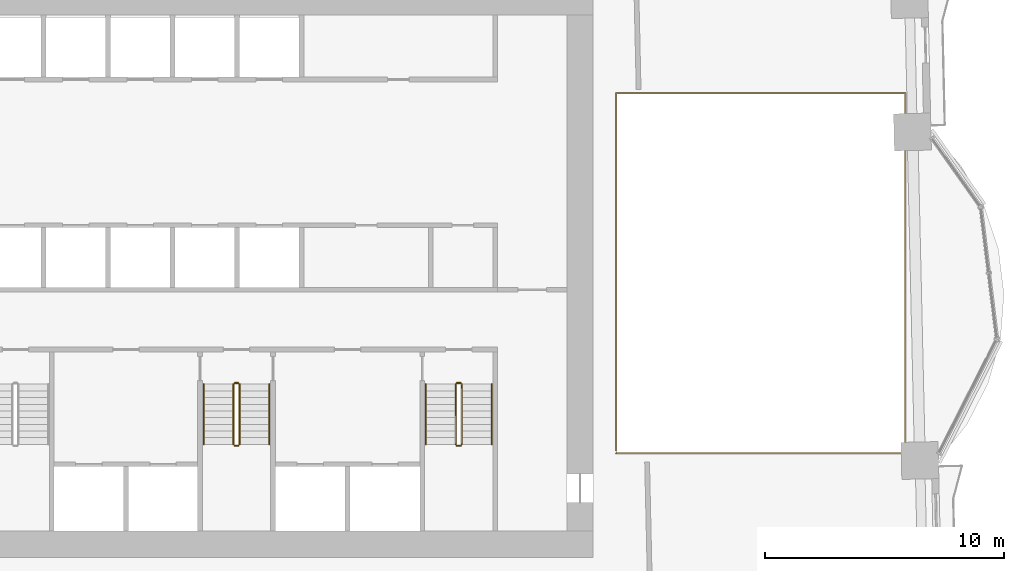
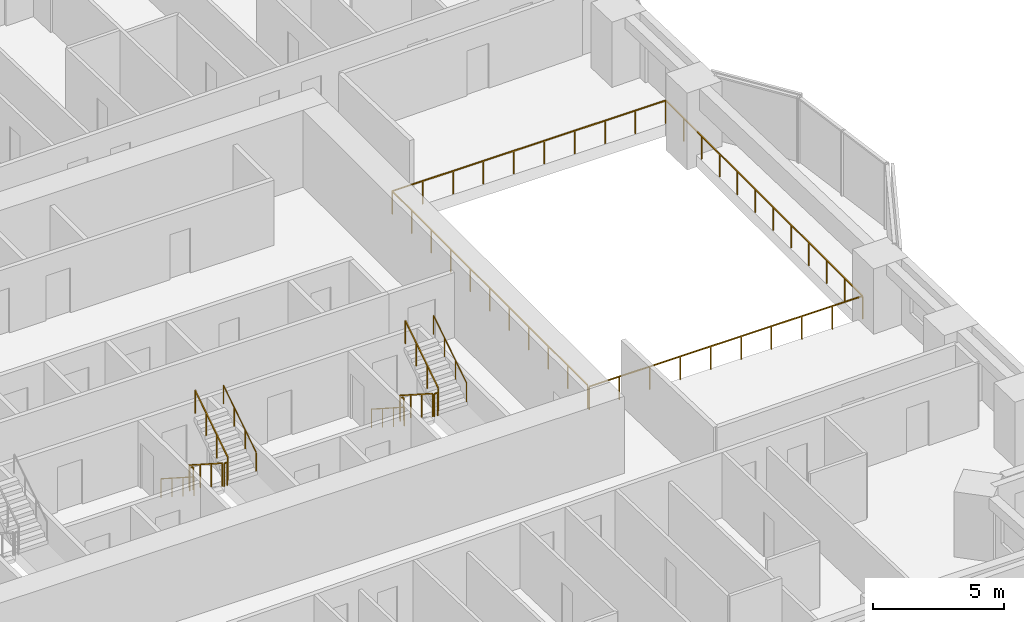
# One storey, part 15 of 16: 13 railings.
"""IFC4 building model written with IfcOpenShell, lengths in metres."""

from ifc_helpers import new_model, si_unit, direction, frame, origin, origin_2d, place, context, subcontext, project, spatial, rectangle, circle, extrude, material, type_object, element, save


model = new_model("IFC4")

# Units and contexts
model_context = context("Model", 3, precision=1e-05, world=origin(), true_north=direction((0.0, 1.0)))
body_context = subcontext(model_context, "Body", "Model", "MODEL_VIEW")
ifc_project = project(units=[si_unit("LENGTHUNIT", "METRE"), si_unit("AREAUNIT", "SQUARE_METRE"), si_unit("VOLUMEUNIT", "CUBIC_METRE"), si_unit("PLANEANGLEUNIT", "RADIAN"), si_unit("MASSUNIT", "GRAM", prefix="KILO")], contexts=[model_context])

# Site, building, storey
site_placement = place(None, origin())
site = spatial("IfcSite", under=ifc_project, at=site_placement, CompositionType="ELEMENT")
building_placement = place(site_placement, origin())
building = spatial("IfcBuilding", under=site, at=building_placement, Name="Mangrove Gate Tower", CompositionType="ELEMENT")
storey_placement = place(building_placement, frame((0.0, 0.0, 41.300048828125)))
storey = spatial("IfcBuildingStorey", under=building, at=storey_placement, Name="L09", CompositionType="ELEMENT", Elevation=41.300048828125)

# Railings
ifc_material_1 = material(Name="Stainless steel grade 316 with laminated glass infill", Category="steel")
railing_type_1 = type_object("IfcRailingType", Name="Balcony guard 1100", PredefinedType="GUARDRAIL", material=ifc_material_1)
railing_1_placement = place(storey_placement, frame((15.860107421875, -7.5400390625, 0.0)))
element("IfcRailing", 1, at=railing_1_placement, inside=storey, type_object=railing_type_1, Name="GUARD L09 atrium", PredefinedType="GUARDRAIL", context=body_context, shape_type="SweptSolid", body=[
    extrude(rectangle(XDim=0.048095703125, YDim=0.048095703125, at=origin_2d()), frame((0.0, 0.0, 1.076171875), z_axis=(1.0, 0.0, 0.0), x_axis=(0.0, 1.0, 0.0)), (0.0, 0.0, 1.0), 12.101806640625),
    extrude(rectangle(XDim=0.048095703125, YDim=0.048095703125, at=origin_2d()), frame((12.101806640625, 0.0, 1.076171875), z_axis=(0.0, 1.0, 0.0), x_axis=(-1.0, 0.0, 0.0)), (0.0, 0.0, 1.0), 15.080078125),
    extrude(rectangle(XDim=0.048095703125, YDim=0.048095703125, at=origin_2d()), frame((12.101806640625, 15.080078125, 1.076171875), z_axis=(-1.0, 0.0, 0.0), x_axis=(0.0, -1.0, 0.0)), (0.0, 0.0, 1.0), 12.101806640625),
    extrude(rectangle(XDim=0.048095703125, YDim=0.048095703125, at=origin_2d()), frame((0.0, 15.080078125, 1.076171875), z_axis=(0.0, -1.0, 0.0), x_axis=(1.0, 0.0, 0.0)), (0.0, 0.0, 1.0), 14.9599609375),
    extrude(rectangle(XDim=0.0419921875, YDim=0.0419921875, at=origin_2d()), origin(), (0.0, 0.0, 1.0), 1.052001953125),
    extrude(rectangle(XDim=0.0419921875, YDim=0.0419921875, at=origin_2d()), frame((1.3447265625, 0.0, 0.0)), (0.0, 0.0, 1.0), 1.052001953125),
    extrude(rectangle(XDim=0.0419921875, YDim=0.0419921875, at=origin_2d()), frame((2.689208984375, 0.0, 0.0)), (0.0, 0.0, 1.0), 1.052001953125),
    extrude(rectangle(XDim=0.0419921875, YDim=0.0419921875, at=origin_2d()), frame((4.033935546875, 0.0, 0.0)), (0.0, 0.0, 1.0), 1.052001953125),
    extrude(rectangle(XDim=0.0419921875, YDim=0.0419921875, at=origin_2d()), frame((5.378662109375, 0.0, 0.0)), (0.0, 0.0, 1.0), 1.052001953125),
    extrude(rectangle(XDim=0.0419921875, YDim=0.0419921875, at=origin_2d()), frame((6.72314453125, 0.0, 0.0)), (0.0, 0.0, 1.0), 1.052001953125),
    extrude(rectangle(XDim=0.0419921875, YDim=0.0419921875, at=origin_2d()), frame((8.06787109375, 0.0, 0.0)), (0.0, 0.0, 1.0), 1.052001953125),
    extrude(rectangle(XDim=0.0419921875, YDim=0.0419921875, at=origin_2d()), frame((9.41259765625, 0.0, 0.0)), (0.0, 0.0, 1.0), 1.052001953125),
    extrude(rectangle(XDim=0.0419921875, YDim=0.0419921875, at=origin_2d()), frame((10.757080078125, 0.0, 0.0)), (0.0, 0.0, 1.0), 1.052001953125),
    extrude(rectangle(XDim=0.0419921875, YDim=0.0419921875, at=origin_2d()), frame((12.101806640625, 0.0, 0.0)), (0.0, 0.0, 1.0), 1.052001953125),
    extrude(rectangle(XDim=0.0419921875, YDim=0.0419921875, at=origin_2d()), frame((12.101806640625, 1.370849609375, 0.0)), (0.0, 0.0, 1.0), 1.052001953125),
    extrude(rectangle(XDim=0.0419921875, YDim=0.0419921875, at=origin_2d()), frame((12.101806640625, 2.741943359375, 0.0)), (0.0, 0.0, 1.0), 1.052001953125),
    extrude(rectangle(XDim=0.0419921875, YDim=0.0419921875, at=origin_2d()), frame((12.101806640625, 4.11279296875, 0.0)), (0.0, 0.0, 1.0), 1.052001953125),
    extrude(rectangle(XDim=0.0419921875, YDim=0.0419921875, at=origin_2d()), frame((12.101806640625, 5.483642578125, 0.0)), (0.0, 0.0, 1.0), 1.052001953125),
    extrude(rectangle(XDim=0.0419921875, YDim=0.0419921875, at=origin_2d()), frame((12.101806640625, 6.8544921875, 0.0)), (0.0, 0.0, 1.0), 1.052001953125),
    extrude(rectangle(XDim=0.0419921875, YDim=0.0419921875, at=origin_2d()), frame((12.101806640625, 8.2255859375, 0.0)), (0.0, 0.0, 1.0), 1.052001953125),
    extrude(rectangle(XDim=0.0419921875, YDim=0.0419921875, at=origin_2d()), frame((12.101806640625, 9.596435546875, 0.0)), (0.0, 0.0, 1.0), 1.052001953125),
    extrude(rectangle(XDim=0.0419921875, YDim=0.0419921875, at=origin_2d()), frame((12.101806640625, 10.96728515625, 0.0)), (0.0, 0.0, 1.0), 1.052001953125),
    extrude(rectangle(XDim=0.0419921875, YDim=0.0419921875, at=origin_2d()), frame((12.101806640625, 12.338134765625, 0.0)), (0.0, 0.0, 1.0), 1.052001953125),
    extrude(rectangle(XDim=0.0419921875, YDim=0.0419921875, at=origin_2d()), frame((12.101806640625, 13.709228515625, 0.0)), (0.0, 0.0, 1.0), 1.052001953125),
    extrude(rectangle(XDim=0.0419921875, YDim=0.0419921875, at=origin_2d()), frame((12.101806640625, 15.080078125, 0.0)), (0.0, 0.0, 1.0), 1.052001953125),
    extrude(rectangle(XDim=0.0419921875, YDim=0.0419921875, at=origin_2d()), frame((10.757080078125, 15.080078125, 0.0)), (0.0, 0.0, 1.0), 1.052001953125),
    extrude(rectangle(XDim=0.0419921875, YDim=0.0419921875, at=origin_2d()), frame((9.41259765625, 15.080078125, 0.0)), (0.0, 0.0, 1.0), 1.052001953125),
    extrude(rectangle(XDim=0.0419921875, YDim=0.0419921875, at=origin_2d()), frame((8.06787109375, 15.080078125, 0.0)), (0.0, 0.0, 1.0), 1.052001953125),
    extrude(rectangle(XDim=0.0419921875, YDim=0.0419921875, at=origin_2d()), frame((6.72314453125, 15.080078125, 0.0)), (0.0, 0.0, 1.0), 1.052001953125),
    extrude(rectangle(XDim=0.0419921875, YDim=0.0419921875, at=origin_2d()), frame((5.378662109375, 15.080078125, 0.0)), (0.0, 0.0, 1.0), 1.052001953125),
    extrude(rectangle(XDim=0.0419921875, YDim=0.0419921875, at=origin_2d()), frame((4.033935546875, 15.080078125, 0.0)), (0.0, 0.0, 1.0), 1.052001953125),
    extrude(rectangle(XDim=0.0419921875, YDim=0.0419921875, at=origin_2d()), frame((2.689208984375, 15.080078125, 0.0)), (0.0, 0.0, 1.0), 1.052001953125),
    extrude(rectangle(XDim=0.0419921875, YDim=0.0419921875, at=origin_2d()), frame((1.3447265625, 15.080078125, 0.0)), (0.0, 0.0, 1.0), 1.052001953125),
    extrude(rectangle(XDim=0.0419921875, YDim=0.0419921875, at=origin_2d()), frame((0.0, 15.080078125, 0.0)), (0.0, 0.0, 1.0), 1.052001953125),
    extrude(rectangle(XDim=0.0419921875, YDim=0.0419921875, at=origin_2d()), frame((0.0, 13.583984375, 0.0)), (0.0, 0.0, 1.0), 1.052001953125),
    extrude(rectangle(XDim=0.0419921875, YDim=0.0419921875, at=origin_2d()), frame((0.0, 12.088134765625, 0.0)), (0.0, 0.0, 1.0), 1.052001953125),
    extrude(rectangle(XDim=0.0419921875, YDim=0.0419921875, at=origin_2d()), frame((0.0, 10.592041015625, 0.0)), (0.0, 0.0, 1.0), 1.052001953125),
    extrude(rectangle(XDim=0.0419921875, YDim=0.0419921875, at=origin_2d()), frame((0.0, 9.09619140625, 0.0)), (0.0, 0.0, 1.0), 1.052001953125),
    extrude(rectangle(XDim=0.0419921875, YDim=0.0419921875, at=origin_2d()), frame((0.0, 7.60009765625, 0.0)), (0.0, 0.0, 1.0), 1.052001953125),
    extrude(rectangle(XDim=0.0419921875, YDim=0.0419921875, at=origin_2d()), frame((0.0, 6.10400390625, 0.0)), (0.0, 0.0, 1.0), 1.052001953125),
    extrude(rectangle(XDim=0.0419921875, YDim=0.0419921875, at=origin_2d()), frame((0.0, 4.608154296875, 0.0)), (0.0, 0.0, 1.0), 1.052001953125),
    extrude(rectangle(XDim=0.0419921875, YDim=0.0419921875, at=origin_2d()), frame((0.0, 3.112060546875, 0.0)), (0.0, 0.0, 1.0), 1.052001953125),
    extrude(rectangle(XDim=0.0419921875, YDim=0.0419921875, at=origin_2d()), frame((0.0, 1.6162109375, 0.0)), (0.0, 0.0, 1.0), 1.052001953125),
    extrude(rectangle(XDim=0.0419921875, YDim=0.0419921875, at=origin_2d()), frame((0.0, 0.1201171875, 0.0)), (0.0, 0.0, 1.0), 1.052001953125),
])
ifc_material_2 = material(Name="Stainless steel 316", Category="steel")
railing_type_2 = type_object("IfcRailingType", Name="Core stair guard 1100", PredefinedType="GUARDRAIL", material=ifc_material_2)
railing_2_placement = place(storey_placement, frame((-0.14990234375, -4.64990234375, 0.179931640625)))
element("IfcRailing", 2, at=railing_2_placement, inside=storey, type_object=railing_type_2, Name="L09 ST2 stair guard 1", PredefinedType="GUARDRAIL", context=body_context, shape_type="SweptSolid", body=[
    extrude(rectangle(XDim=0.048095703125, YDim=0.048095703125, at=origin_2d()), frame((0.0, 0.0, 1.076171875), z_axis=(0.0, -0.841162588446, 0.540782303519), x_axis=(1.0, 0.0, 0.0)), (0.0, 0.0, 1.0), 2.995849609375),
    extrude(rectangle(XDim=0.0419921875, YDim=0.0419921875, at=origin_2d()), origin(), (0.0, 0.0, 1.0), 1.052001953125),
    extrude(rectangle(XDim=0.0419921875, YDim=0.0419921875, at=origin_2d()), frame((0.0, -0.840087890625, 0.5400390625)), (0.0, 0.0, 1.0), 1.052001953125),
    extrude(rectangle(XDim=0.0419921875, YDim=0.0419921875, at=origin_2d()), frame((0.0, -1.679931640625, 1.080078125)), (0.0, 0.0, 1.0), 1.052001953125),
    extrude(rectangle(XDim=0.0419921875, YDim=0.0419921875, at=origin_2d()), frame((0.0, -2.52001953125, 1.6201171875)), (0.0, 0.0, 1.0), 1.052001953125),
])
railing_3_placement = place(storey_placement, frame((-0.10009765625, -7.219970703125, 1.800048828125)))
element("IfcRailing", 3, at=railing_3_placement, inside=storey, type_object=railing_type_2, Name="L09 ST2 stair guard 2", PredefinedType="GUARDRAIL", context=body_context, shape_type="SweptSolid", body=[
    extrude(rectangle(XDim=0.048095703125, YDim=0.048095703125, at=origin_2d()), frame((0.0, 0.0, 1.076171875), z_axis=(1.0, 0.0, 0.0), x_axis=(0.0, 1.0, 0.0)), (0.0, 0.0, 1.0), 0.150146484375),
    extrude(rectangle(XDim=0.0419921875, YDim=0.0419921875, at=origin_2d()), origin(), (0.0, 0.0, 1.0), 1.052001953125),
    extrude(rectangle(XDim=0.0419921875, YDim=0.0419921875, at=origin_2d()), frame((0.150146484375, 0.0, 0.0)), (0.0, 0.0, 1.0), 1.052001953125),
])
railing_4_placement = place(storey_placement, frame((0.10009765625, -7.169921875, 1.97998046875)))
element("IfcRailing", 4, at=railing_4_placement, inside=storey, type_object=railing_type_2, Name="L09 ST2 stair guard 3", PredefinedType="GUARDRAIL", context=body_context, shape_type="SweptSolid", body=[
    extrude(rectangle(XDim=0.048095703125, YDim=0.048095703125, at=origin_2d()), frame((0.0, 0.0, 1.076171875), z_axis=(0.0, 0.841199657755, 0.540724639528), x_axis=(-1.0, 0.0, 0.0)), (0.0, 0.0, 1.0), 2.995849609375),
    extrude(rectangle(XDim=0.0419921875, YDim=0.0419921875, at=origin_2d()), origin(), (0.0, 0.0, 1.0), 1.052001953125),
    extrude(rectangle(XDim=0.0419921875, YDim=0.0419921875, at=origin_2d()), frame((0.0, 0.840087890625, 0.5400390625)), (0.0, 0.0, 1.0), 1.052001953125),
    extrude(rectangle(XDim=0.0419921875, YDim=0.0419921875, at=origin_2d()), frame((0.0, 1.679931640625, 1.079833984375)), (0.0, 0.0, 1.0), 1.052001953125),
    extrude(rectangle(XDim=0.0419921875, YDim=0.0419921875, at=origin_2d()), frame((0.0, 2.52001953125, 1.619873046875)), (0.0, 0.0, 1.0), 1.052001953125),
])
railing_5_placement = place(storey_placement, frame((-0.10009765625, -4.60009765625, 0.0)))
element("IfcRailing", 5, at=railing_5_placement, inside=storey, type_object=railing_type_2, Name="L09 ST2 stair guard 4", PredefinedType="GUARDRAIL", context=body_context, shape_type="SweptSolid", body=[
    extrude(rectangle(XDim=0.048095703125, YDim=0.048095703125, at=origin_2d()), frame((0.0, 0.0, 1.076171875), z_axis=(1.0, 0.0, 0.0), x_axis=(0.0, 1.0, 0.0)), (0.0, 0.0, 1.0), 0.150146484375),
    extrude(rectangle(XDim=0.0419921875, YDim=0.0419921875, at=origin_2d()), origin(), (0.0, 0.0, 1.0), 1.052001953125),
    extrude(rectangle(XDim=0.0419921875, YDim=0.0419921875, at=origin_2d()), frame((0.150146484375, 0.0, 0.0)), (0.0, 0.0, 1.0), 1.052001953125),
])
railing_6_placement = place(storey_placement, frame((9.14990234375, -4.64990234375, 0.179931640625)))
element("IfcRailing", 6, at=railing_6_placement, inside=storey, type_object=railing_type_2, Name="L09 ST3 stair guard 1", PredefinedType="GUARDRAIL", context=body_context, shape_type="SweptSolid", body=[
    extrude(rectangle(XDim=0.048095703125, YDim=0.048095703125, at=origin_2d()), frame((0.0, 0.0, 1.076171875), z_axis=(0.0, -0.841162588446, 0.540782303519), x_axis=(1.0, 0.0, 0.0)), (0.0, 0.0, 1.0), 2.995849609375),
    extrude(rectangle(XDim=0.0419921875, YDim=0.0419921875, at=origin_2d()), origin(), (0.0, 0.0, 1.0), 1.052001953125),
    extrude(rectangle(XDim=0.0419921875, YDim=0.0419921875, at=origin_2d()), frame((0.0, -0.840087890625, 0.5400390625)), (0.0, 0.0, 1.0), 1.052001953125),
    extrude(rectangle(XDim=0.0419921875, YDim=0.0419921875, at=origin_2d()), frame((0.0, -1.679931640625, 1.080078125)), (0.0, 0.0, 1.0), 1.052001953125),
    extrude(rectangle(XDim=0.0419921875, YDim=0.0419921875, at=origin_2d()), frame((0.0, -2.52001953125, 1.6201171875)), (0.0, 0.0, 1.0), 1.052001953125),
])
railing_7_placement = place(storey_placement, frame((9.199951171875, -7.219970703125, 1.800048828125)))
element("IfcRailing", 7, at=railing_7_placement, inside=storey, type_object=railing_type_2, Name="L09 ST3 stair guard 2", PredefinedType="GUARDRAIL", context=body_context, shape_type="SweptSolid", body=[
    extrude(rectangle(XDim=0.048095703125, YDim=0.048095703125, at=origin_2d()), frame((0.0, 0.0, 1.076171875), z_axis=(1.0, 0.0, 0.0), x_axis=(0.0, 1.0, 0.0)), (0.0, 0.0, 1.0), 0.150146484375),
    extrude(rectangle(XDim=0.0419921875, YDim=0.0419921875, at=origin_2d()), origin(), (0.0, 0.0, 1.0), 1.052001953125),
    extrude(rectangle(XDim=0.0419921875, YDim=0.0419921875, at=origin_2d()), frame((0.150146484375, 0.0, 0.0)), (0.0, 0.0, 1.0), 1.052001953125),
])
railing_8_placement = place(storey_placement, frame((9.39990234375, -7.169921875, 1.97998046875)))
element("IfcRailing", 8, at=railing_8_placement, inside=storey, type_object=railing_type_2, Name="L09 ST3 stair guard 3", PredefinedType="GUARDRAIL", context=body_context, shape_type="SweptSolid", body=[
    extrude(rectangle(XDim=0.048095703125, YDim=0.048095703125, at=origin_2d()), frame((0.0, 0.0, 1.076171875), z_axis=(0.0, 0.841199657755, 0.540724639528), x_axis=(-1.0, 0.0, 0.0)), (0.0, 0.0, 1.0), 2.995849609375),
    extrude(rectangle(XDim=0.0419921875, YDim=0.0419921875, at=origin_2d()), origin(), (0.0, 0.0, 1.0), 1.052001953125),
    extrude(rectangle(XDim=0.0419921875, YDim=0.0419921875, at=origin_2d()), frame((0.0, 0.840087890625, 0.5400390625)), (0.0, 0.0, 1.0), 1.052001953125),
    extrude(rectangle(XDim=0.0419921875, YDim=0.0419921875, at=origin_2d()), frame((0.0, 1.679931640625, 1.079833984375)), (0.0, 0.0, 1.0), 1.052001953125),
    extrude(rectangle(XDim=0.0419921875, YDim=0.0419921875, at=origin_2d()), frame((0.0, 2.52001953125, 1.619873046875)), (0.0, 0.0, 1.0), 1.052001953125),
])
railing_9_placement = place(storey_placement, frame((9.199951171875, -4.60009765625, 0.0)))
element("IfcRailing", 9, at=railing_9_placement, inside=storey, type_object=railing_type_2, Name="L09 ST3 stair guard 4", PredefinedType="GUARDRAIL", context=body_context, shape_type="SweptSolid", body=[
    extrude(rectangle(XDim=0.048095703125, YDim=0.048095703125, at=origin_2d()), frame((0.0, 0.0, 1.076171875), z_axis=(1.0, 0.0, 0.0), x_axis=(0.0, 1.0, 0.0)), (0.0, 0.0, 1.0), 0.150146484375),
    extrude(rectangle(XDim=0.0419921875, YDim=0.0419921875, at=origin_2d()), origin(), (0.0, 0.0, 1.0), 1.052001953125),
    extrude(rectangle(XDim=0.0419921875, YDim=0.0419921875, at=origin_2d()), frame((0.150146484375, 0.0, 0.0)), (0.0, 0.0, 1.0), 1.052001953125),
])
ifc_material_3 = material(Name="Stainless steel 316", Category="steel")
railing_type_3 = type_object("IfcRailingType", Name="Core stair handrail 900", PredefinedType="HANDRAIL", material=ifc_material_3)
railing_10_placement = place(storey_placement, frame((-1.39990234375, -4.64990234375, 0.179931640625)))
element("IfcRailing", 10, at=railing_10_placement, inside=storey, type_object=railing_type_3, Name="L09 ST2 stair handrail 1", PredefinedType="HANDRAIL", context=body_context, shape_type="SweptSolid", body=[
    extrude(circle(Radius=0.02392578125, at=origin_2d()), frame((0.0, 0.0, 0.8759765625), z_axis=(0.0, -0.841162588446, 0.540782303519), x_axis=(1.0, 0.0, 0.0)), (0.0, 0.0, 1.0), 2.995849609375),
    extrude(circle(Radius=0.02099609375, at=origin_2d()), origin(), (0.0, 0.0, 1.0), 0.851806640625),
    extrude(circle(Radius=0.02099609375, at=origin_2d()), frame((0.0, -0.840087890625, 0.5400390625)), (0.0, 0.0, 1.0), 0.851806640625),
    extrude(circle(Radius=0.02099609375, at=origin_2d()), frame((0.0, -1.679931640625, 1.080078125)), (0.0, 0.0, 1.0), 0.851806640625),
    extrude(circle(Radius=0.02099609375, at=origin_2d()), frame((0.0, -2.52001953125, 1.6201171875)), (0.0, 0.0, 1.0), 0.851806640625),
])
railing_11_placement = place(storey_placement, frame((1.35009765625, -7.169921875, 1.97998046875)))
element("IfcRailing", 11, at=railing_11_placement, inside=storey, type_object=railing_type_3, Name="L09 ST2 stair handrail 2", PredefinedType="HANDRAIL", context=body_context, shape_type="SweptSolid", body=[
    extrude(circle(Radius=0.02392578125, at=origin_2d()), frame((0.0, 0.0, 0.8759765625), z_axis=(0.0, 0.841199657755, 0.540724639528), x_axis=(-1.0, 0.0, 0.0)), (0.0, 0.0, 1.0), 2.995849609375),
    extrude(circle(Radius=0.02099609375, at=origin_2d()), origin(), (0.0, 0.0, 1.0), 0.851806640625),
    extrude(circle(Radius=0.02099609375, at=origin_2d()), frame((0.0, 0.840087890625, 0.5400390625)), (0.0, 0.0, 1.0), 0.851806640625),
    extrude(circle(Radius=0.02099609375, at=origin_2d()), frame((0.0, 1.679931640625, 1.079833984375)), (0.0, 0.0, 1.0), 0.851806640625),
    extrude(circle(Radius=0.02099609375, at=origin_2d()), frame((0.0, 2.52001953125, 1.619873046875)), (0.0, 0.0, 1.0), 0.851806640625),
])
railing_12_placement = place(storey_placement, frame((7.89990234375, -4.64990234375, 0.179931640625)))
element("IfcRailing", 12, at=railing_12_placement, inside=storey, type_object=railing_type_3, Name="L09 ST3 stair handrail 1", PredefinedType="HANDRAIL", context=body_context, shape_type="SweptSolid", body=[
    extrude(circle(Radius=0.02392578125, at=origin_2d()), frame((0.0, 0.0, 0.8759765625), z_axis=(0.0, -0.841162588446, 0.540782303519), x_axis=(1.0, 0.0, 0.0)), (0.0, 0.0, 1.0), 2.995849609375),
    extrude(circle(Radius=0.02099609375, at=origin_2d()), origin(), (0.0, 0.0, 1.0), 0.851806640625),
    extrude(circle(Radius=0.02099609375, at=origin_2d()), frame((0.0, -0.840087890625, 0.5400390625)), (0.0, 0.0, 1.0), 0.851806640625),
    extrude(circle(Radius=0.02099609375, at=origin_2d()), frame((0.0, -1.679931640625, 1.080078125)), (0.0, 0.0, 1.0), 0.851806640625),
    extrude(circle(Radius=0.02099609375, at=origin_2d()), frame((0.0, -2.52001953125, 1.6201171875)), (0.0, 0.0, 1.0), 0.851806640625),
])
railing_13_placement = place(storey_placement, frame((10.64990234375, -7.169921875, 1.97998046875)))
element("IfcRailing", 13, at=railing_13_placement, inside=storey, type_object=railing_type_3, Name="L09 ST3 stair handrail 2", PredefinedType="HANDRAIL", context=body_context, shape_type="SweptSolid", body=[
    extrude(circle(Radius=0.02392578125, at=origin_2d()), frame((0.0, 0.0, 0.8759765625), z_axis=(0.0, 0.841199657755, 0.540724639528), x_axis=(-1.0, 0.0, 0.0)), (0.0, 0.0, 1.0), 2.995849609375),
    extrude(circle(Radius=0.02099609375, at=origin_2d()), origin(), (0.0, 0.0, 1.0), 0.851806640625),
    extrude(circle(Radius=0.02099609375, at=origin_2d()), frame((0.0, 0.840087890625, 0.5400390625)), (0.0, 0.0, 1.0), 0.851806640625),
    extrude(circle(Radius=0.02099609375, at=origin_2d()), frame((0.0, 1.679931640625, 1.079833984375)), (0.0, 0.0, 1.0), 0.851806640625),
    extrude(circle(Radius=0.02099609375, at=origin_2d()), frame((0.0, 2.52001953125, 1.619873046875)), (0.0, 0.0, 1.0), 0.851806640625),
])

save(model, "model.ifc")
